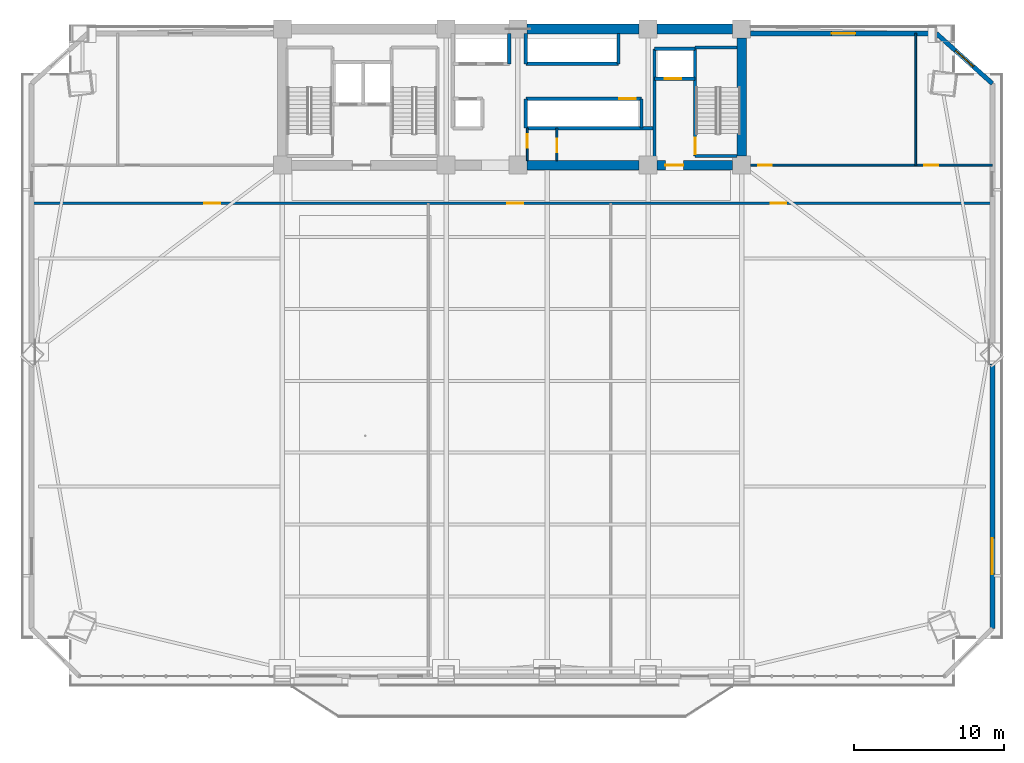
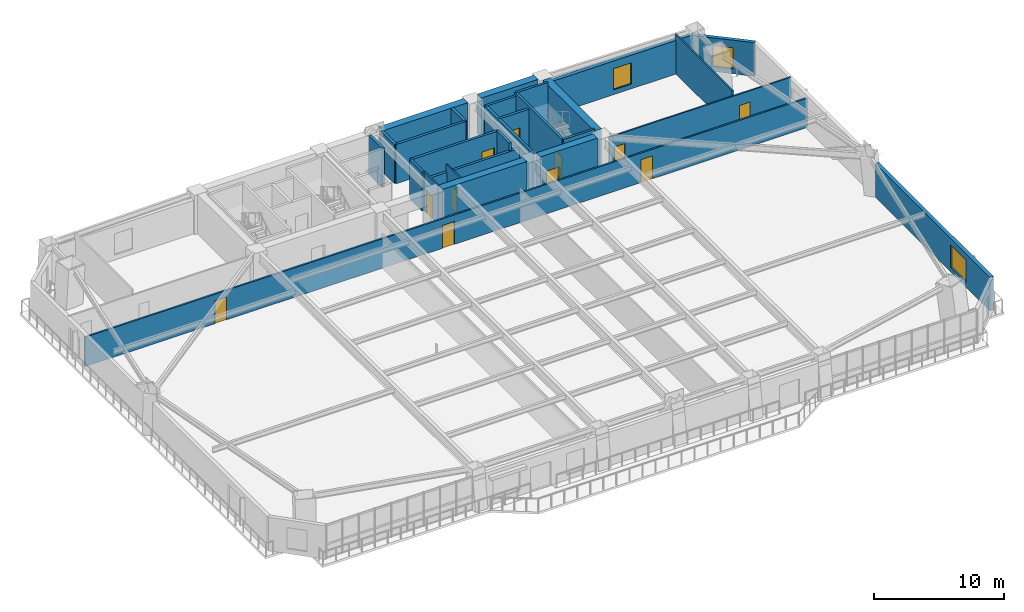
# One storey, part 10 of 17: 27 walls, 11 doors, 3 windows, 14 openings.
"""IFC4 building model written with IfcOpenShell, lengths in metres."""

from ifc_helpers import new_model, si_unit, direction, frame, frame_2d, origin, place, context, subcontext, project, spatial, rectangle, extrude, source, transform, mapped, material, layer, layer_set, type_object, element, fill, save


model = new_model("IFC4")

# Units and contexts
model_context = context("Model", 3, precision=1e-05, world=origin(), true_north=direction((0.0, 1.0)))
body_context = subcontext(model_context, "Body", "Model", "MODEL_VIEW")
ifc_project = project(units=[si_unit("LENGTHUNIT", "METRE"), si_unit("AREAUNIT", "SQUARE_METRE"), si_unit("VOLUMEUNIT", "CUBIC_METRE"), si_unit("PLANEANGLEUNIT", "RADIAN"), si_unit("MASSUNIT", "GRAM", prefix="KILO")], contexts=[model_context])

# Site, building, storey
site_placement = place(None, origin())
site = spatial("IfcSite", under=ifc_project, at=site_placement, CompositionType="ELEMENT")
building_placement = place(site_placement, origin())
building = spatial("IfcBuilding", under=site, at=building_placement, Name="Giltprow Tower", CompositionType="ELEMENT")
storey_placement = place(building_placement, frame((0.0, 0.0, 33.199951171875)))
storey = spatial("IfcBuildingStorey", under=building, at=storey_placement, Name="L08", CompositionType="ELEMENT", Elevation=33.199951171875)

# Wall, opening, window
ifc_material_1 = material(Name="Precast concrete C40", Category="concrete")
ifc_layer_1 = layer(ifc_material_1, 0.300048828125, Name="Precast concrete C40")
ifc_layer_set_1 = layer_set([ifc_layer_1], Name="Precast concrete C40")
wall_type_1 = type_object("IfcWallType", Name="EW-NOTCH-CHAMFER-300", PredefinedType="SOLIDWALL", material=ifc_layer_set_1)
wall_1_placement = place(storey_placement, frame((67.300048828125, 42.89990234375, 0.0), z_axis=(0.0, 0.0, 1.0), x_axis=(-0.745751558502, 0.666224146209, 0.0)))
wall_1 = element("IfcWall", 1, at=wall_1_placement, inside=storey, type_object=wall_type_1, Name="L08 Corner Notch Wall NE", PredefinedType="SOLIDWALL", context=body_context, shape_type="SweptSolid", body=[
    extrude(rectangle(XDim=5.028564453125, YDim=0.300048828125, at=frame_2d((2.51416015625, 0.0))), origin(), (0.0, 0.0, 1.0), 3.16015625),
])
opening_1_placement = place(wall_1_placement, frame((1.714111328125, 0.0, 0.449951171875)))
opening_1 = element("IfcOpeningElement", 2, at=opening_1_placement, cuts=wall_1, Name="Opening WN17", PredefinedType="OPENING", context=body_context, shape_type="SweptSolid", body=[
    extrude(rectangle(XDim=1.60009765625, YDim=2.0, at=frame_2d((0.800048828125, 1.0))), frame((0.0, 0.159912109375, 0.0), z_axis=(0.0, -1.0, 0.0), x_axis=(1.0, 0.0, 0.0)), (0.0, 0.0, 1.0), 0.320068359375),
])
ifc_material_2 = material(Name="Insulated glass", Category="glass")
window_type_1 = type_object("IfcWindowType", Name="WN-COR-1600x2000", PartitioningType="SINGLE_PANEL", PredefinedType="WINDOW", material=ifc_material_2)
shared_shape_1 = source(origin(), body_context, "Body", "SweptSolid", [
    extrude(rectangle(XDim=1.60009765625, YDim=2.0, at=frame_2d((0.800048828125, 1.0))), frame((0.0, 0.030029296875, 0.0), z_axis=(0.0, -1.0, 0.0), x_axis=(1.0, 0.0, 0.0)), (0.0, 0.0, 1.0), 0.06005859375),
])
window_1_placement = place(opening_1_placement, origin())
window_1 = element("IfcWindow", 3, at=window_1_placement, inside=storey, type_object=window_type_1, Name="L08 Corner Notch Window NE", OverallHeight=2.0, OverallWidth=1.60009765625, PartitioningType="SINGLE_PANEL", PredefinedType="WINDOW", context=body_context, shape_type="MappedRepresentation", body=[
    mapped(shared_shape_1, transform((0.0, 0.0, 0.0), x_axis=(1.0, 0.0, 0.0), y_axis=(0.0, 1.0, 0.0), z_axis=(0.0, 0.0, 1.0), scale=1.0)),
])
fill(opening_1, window_1)

ifc_layer_2 = layer(ifc_material_1, 0.320068359375, Name="Precast concrete C40")
ifc_layer_set_2 = layer_set([ifc_layer_2], Name="Precast concrete C40")
wall_type_2 = type_object("IfcWallType", Name="EW-TOW-STONE-320", PredefinedType="SOLIDWALL", material=ifc_layer_set_2)
wall_2_placement = place(storey_placement, frame((67.300048828125, 6.5, 0.0), z_axis=(0.0, 0.0, 1.0), x_axis=(0.0, 1.0, 0.0)))
wall_2 = element("IfcWall", 4, at=wall_2_placement, inside=storey, type_object=wall_type_2, Name="L08 E Wing Masonry Wall 1", PredefinedType="SOLIDWALL", context=body_context, shape_type="SweptSolid", body=[
    extrude(rectangle(XDim=17.64990234375, YDim=0.320068359375, at=frame_2d((8.824951171875, 0.0))), origin(), (0.0, 0.0, 1.0), 3.16015625),
])
opening_2_placement = place(wall_2_placement, frame((3.62890625, 0.0, 0.449951171875)))
opening_2 = element("IfcOpeningElement", 5, at=opening_2_placement, cuts=wall_2, Name="Opening WN29", PredefinedType="OPENING", context=body_context, shape_type="SweptSolid", body=[
    extrude(rectangle(XDim=2.39990234375, YDim=2.10009765625, at=frame_2d((1.199951171875, 1.050048828125))), frame((0.0, 0.169921875, 0.0), z_axis=(0.0, -1.0, 0.0), x_axis=(1.0, 0.0, 0.0)), (0.0, 0.0, 1.0), 0.340087890625),
])
window_type_2 = type_object("IfcWindowType", Name="WN-OFF-2400x2100", PartitioningType="DOUBLE_PANEL_VERTICAL", PredefinedType="WINDOW", material=ifc_material_2)
shared_shape_2 = source(origin(), body_context, "Body", "SweptSolid", [
    extrude(rectangle(XDim=2.39990234375, YDim=2.10009765625, at=frame_2d((1.199951171875, 1.050048828125))), frame((0.0, 0.030029296875, 0.0), z_axis=(0.0, -1.0, 0.0), x_axis=(1.0, 0.0, 0.0)), (0.0, 0.0, 1.0), 0.06005859375),
])
window_2_placement = place(opening_2_placement, origin())
window_2 = element("IfcWindow", 6, at=window_2_placement, inside=storey, type_object=window_type_2, Name="L08 E Wing Window 1-1A", OverallHeight=2.10009765625, OverallWidth=2.39990234375, PartitioningType="SINGLE_PANEL", PredefinedType="WINDOW", context=body_context, shape_type="MappedRepresentation", body=[
    mapped(shared_shape_2, transform((0.0, 0.0, 0.0), x_axis=(1.0, 0.0, 0.0), y_axis=(0.0, 1.0, 0.0), z_axis=(0.0, 0.0, 1.0), scale=1.0)),
])
fill(opening_2, window_2)

wall_3_placement = place(storey_placement, frame((51.14990234375, 46.25, 0.0), z_axis=(0.0, 0.0, 1.0), x_axis=(1.0, 0.0, 0.0)))
wall_3 = element("IfcWall", 7, at=wall_3_placement, inside=storey, type_object=wall_type_2, Name="L08 North-East Wing Wall", PredefinedType="SOLIDWALL", context=body_context, shape_type="SweptSolid", body=[
    extrude(rectangle(XDim=12.400146484375, YDim=0.320068359375, at=frame_2d((6.2001953125, 0.0))), origin(), (0.0, 0.0, 1.0), 3.16015625),
])
opening_3_placement = place(wall_3_placement, frame((5.39990234375, 0.0, 0.449951171875)))
opening_3 = element("IfcOpeningElement", 8, at=opening_3_placement, cuts=wall_3, Name="Opening WN17", PredefinedType="OPENING", context=body_context, shape_type="SweptSolid", body=[
    extrude(rectangle(XDim=1.60009765625, YDim=2.0, at=frame_2d((0.800048828125, 1.0))), frame((0.0, 0.169921875, 0.0), z_axis=(0.0, -1.0, 0.0), x_axis=(1.0, 0.0, 0.0)), (0.0, 0.0, 1.0), 0.340087890625),
])
window_3_placement = place(opening_3_placement, origin())
window_3 = element("IfcWindow", 9, at=window_3_placement, inside=storey, type_object=window_type_1, Name="L08 North-East Window", OverallHeight=2.0, OverallWidth=1.60009765625, PartitioningType="SINGLE_PANEL", PredefinedType="WINDOW", context=body_context, shape_type="MappedRepresentation", body=[
    mapped(shared_shape_1, transform((0.0, 0.0, 0.0), x_axis=(1.0, 0.0, 0.0), y_axis=(0.0, 1.0, 0.0), z_axis=(0.0, 0.0, 1.0), scale=1.0)),
])
fill(opening_3, window_3)

# Wall, openings, doors
ifc_material_3 = material(Name="Gypsum stud partition", Category="gypsum")
ifc_layer_3 = layer(ifc_material_3, 0.14990234375, Name="Gypsum stud partition")
ifc_layer_set_3 = layer_set([ifc_layer_3], Name="Gypsum stud partition")
wall_type_3 = type_object("IfcWallType", Name="IW-CORR-150", PredefinedType="PARTITIONING", material=ifc_layer_set_3)
wall_4_placement = place(storey_placement, frame((3.10009765625, 34.89990234375, 0.0), z_axis=(0.0, 0.0, 1.0), x_axis=(1.0, 0.0, 0.0)))
wall_4 = element("IfcWall", 10, at=wall_4_placement, inside=storey, type_object=wall_type_3, Name="L08 Office Loop Corridor Wall", PredefinedType="PARTITIONING", context=body_context, shape_type="SweptSolid", body=[
    extrude(rectangle(XDim=64.199951171875, YDim=0.14990234375, at=frame_2d((32.10009765625, 0.0))), origin(), (0.0, 0.0, 1.0), 2.76513671875),
])
opening_4_placement = place(wall_4_placement, frame((11.544921875, 0.0, 0.0)))
opening_4 = element("IfcOpeningElement", 11, at=opening_4_placement, cuts=wall_4, Name="Opening ID31", PredefinedType="OPENING", context=body_context, shape_type="SweptSolid", body=[
    extrude(rectangle(XDim=1.050048828125, YDim=2.14990234375, at=frame_2d((0.52490234375, 1.074951171875))), frame((0.0, 0.0849609375, 0.0), z_axis=(0.0, -1.0, 0.0), x_axis=(1.0, 0.0, 0.0)), (0.0, 0.0, 1.0), 0.169921875),
])
opening_5_placement = place(wall_4_placement, frame((31.787109375, 0.0, 0.0)))
opening_5 = element("IfcOpeningElement", 12, at=opening_5_placement, cuts=wall_4, Name="Opening ID31", PredefinedType="OPENING", context=body_context, shape_type="SweptSolid", body=[
    extrude(rectangle(XDim=1.050048828125, YDim=2.14990234375, at=frame_2d((0.52490234375, 1.074951171875))), frame((0.0, 0.0849609375, 0.0), z_axis=(0.0, -1.0, 0.0), x_axis=(1.0, 0.0, 0.0)), (0.0, 0.0, 1.0), 0.169921875),
])
opening_6_placement = place(wall_4_placement, frame((49.389892578125, 0.0, 0.0)))
opening_6 = element("IfcOpeningElement", 13, at=opening_6_placement, cuts=wall_4, Name="Opening ID31", PredefinedType="OPENING", context=body_context, shape_type="SweptSolid", body=[
    extrude(rectangle(XDim=1.050048828125, YDim=2.14990234375, at=frame_2d((0.52490234375, 1.074951171875))), frame((0.0, 0.0849609375, 0.0), z_axis=(0.0, -1.0, 0.0), x_axis=(1.0, 0.0, 0.0)), (0.0, 0.0, 1.0), 0.169921875),
])
ifc_material_4 = material(Name="Engineered timber", Category="wood")
door_type_1 = type_object("IfcDoorType", Name="DR-SUITE-1050", OperationType="SINGLE_SWING_LEFT", PredefinedType="DOOR", material=ifc_material_4)
shared_shape_3 = source(origin(), body_context, "Body", "SweptSolid", [
    extrude(rectangle(XDim=1.050048828125, YDim=2.14990234375, at=frame_2d((0.52490234375, 1.074951171875))), frame((0.0, 0.02490234375, 0.0), z_axis=(0.0, -1.0, 0.0), x_axis=(1.0, 0.0, 0.0)), (0.0, 0.0, 1.0), 0.050048828125),
])
door_1_placement = place(opening_4_placement, origin())
door_1 = element("IfcDoor", 14, at=door_1_placement, inside=storey, type_object=door_type_1, Name="L08 Open-Plan Harbour Office 1 Door", OperationType="SINGLE_SWING_RIGHT", OverallHeight=2.14990234375, OverallWidth=1.050048828125, PredefinedType="DOOR", context=body_context, shape_type="MappedRepresentation", body=[
    mapped(shared_shape_3, transform((0.0, 0.0, 0.0), x_axis=(1.0, 0.0, 0.0), y_axis=(0.0, 1.0, 0.0), z_axis=(0.0, 0.0, 1.0), scale=1.0)),
])
fill(opening_4, door_1)
door_2_placement = place(opening_5_placement, origin())
door_2 = element("IfcDoor", 15, at=door_2_placement, inside=storey, type_object=door_type_1, Name="L08 Advisory Floorplate Office 2 Door", OperationType="SINGLE_SWING_LEFT", OverallHeight=2.14990234375, OverallWidth=1.050048828125, PredefinedType="DOOR", context=body_context, shape_type="MappedRepresentation", body=[
    mapped(shared_shape_3, transform((0.0, 0.0, 0.0), x_axis=(1.0, 0.0, 0.0), y_axis=(0.0, 1.0, 0.0), z_axis=(0.0, 0.0, 1.0), scale=1.0)),
])
fill(opening_5, door_2)
door_3_placement = place(opening_6_placement, origin())
door_3 = element("IfcDoor", 16, at=door_3_placement, inside=storey, type_object=door_type_1, Name="L08 Trading Floorplate Office 3 Door", OperationType="SINGLE_SWING_RIGHT", OverallHeight=2.14990234375, OverallWidth=1.050048828125, PredefinedType="DOOR", context=body_context, shape_type="MappedRepresentation", body=[
    mapped(shared_shape_3, transform((0.0, 0.0, 0.0), x_axis=(1.0, 0.0, 0.0), y_axis=(0.0, 1.0, 0.0), z_axis=(0.0, 0.0, 1.0), scale=1.0)),
])
fill(opening_6, door_3)

# Wall, opening, door
ifc_material_5 = material(Name="Concrete C40", Category="concrete")
ifc_layer_4 = layer(ifc_material_5, 0.219970703125, Name="Concrete C40")
ifc_layer_set_4 = layer_set([ifc_layer_4], Name="Concrete C40")
wall_type_4 = type_object("IfcWallType", Name="IW-SHAFT-220", PredefinedType="SOLIDWALL", material=ifc_layer_set_4)
wall_5_placement = place(storey_placement, frame((44.719970703125, 43.219970703125, 0.0), z_axis=(0.0, 0.0, 1.0), x_axis=(1.0, 0.0, 0.0)))
wall_5 = element("IfcWall", 17, at=wall_5_placement, inside=storey, type_object=wall_type_4, Name="L08 FFL2 Front Shaft Wall", PredefinedType="SOLIDWALL", context=body_context, shape_type="SweptSolid", body=[
    extrude(rectangle(XDim=2.719970703125, YDim=0.219970703125, at=frame_2d((1.35986328125, 0.0))), origin(), (0.0, 0.0, 1.0), 3.679931640625),
])
opening_7_placement = place(wall_5_placement, frame((0.699951171875, 0.0, 0.0)))
opening_7 = element("IfcOpeningElement", 18, at=opening_7_placement, cuts=wall_5, Name="Opening LD-11", PredefinedType="OPENING", context=body_context, shape_type="SweptSolid", body=[
    extrude(rectangle(XDim=1.10009765625, YDim=2.199951171875, at=frame_2d((0.550048828125, 1.10009765625))), frame((0.0, 0.119873046875, 0.0), z_axis=(0.0, -1.0, 0.0), x_axis=(1.0, 0.0, 0.0)), (0.0, 0.0, 1.0), 0.239990234375),
])
ifc_material_6 = material(Name="Stainless steel", Category="steel")
door_type_2 = type_object("IfcDoorType", Name="DR-LIFT-LD1100", OperationType="SLIDING_TO_LEFT", PredefinedType="DOOR", material=ifc_material_6)
shared_shape_4 = source(origin(), body_context, "Body", "SweptSolid", [
    extrude(rectangle(XDim=1.10009765625, YDim=2.199951171875, at=frame_2d((0.550048828125, 1.10009765625))), frame((0.0, 0.02490234375, 0.0), z_axis=(0.0, -1.0, 0.0), x_axis=(1.0, 0.0, 0.0)), (0.0, 0.0, 1.0), 0.050048828125),
])
door_4_placement = place(opening_7_placement, origin())
door_4 = element("IfcDoor", 19, at=door_4_placement, inside=storey, type_object=door_type_2, Name="L08 FFL2 Landing Door", OperationType="SLIDING_TO_LEFT", OverallHeight=2.199951171875, OverallWidth=1.10009765625, PredefinedType="DOOR", context=body_context, shape_type="MappedRepresentation", body=[
    mapped(shared_shape_4, transform((0.0, 0.0, 0.0), x_axis=(1.0, 0.0, 0.0), y_axis=(0.0, 1.0, 0.0), z_axis=(0.0, 0.0, 1.0), scale=1.0)),
])
fill(opening_7, door_4)

# Walls
wall_6_placement = place(storey_placement, frame((44.719970703125, 45.219970703125, 0.0), z_axis=(0.0, 0.0, 1.0), x_axis=(1.0, 0.0, 0.0)))
element("IfcWall", 20, at=wall_6_placement, inside=storey, type_object=wall_type_4, Name="L08 FFL2 Back Shaft Wall", PredefinedType="SOLIDWALL", context=body_context, shape_type="SweptSolid", body=[
    extrude(rectangle(XDim=2.719970703125, YDim=0.219970703125, at=frame_2d((1.35986328125, 0.0))), origin(), (0.0, 0.0, 1.0), 3.679931640625),
])
wall_7_placement = place(storey_placement, frame((44.719970703125, 37.7548828125, 0.0), z_axis=(0.0, 0.0, 1.0), x_axis=(0.0, 1.0, 0.0)))
element("IfcWall", 21, at=wall_7_placement, inside=storey, type_object=wall_type_4, Name="L08 East Firefighting Lobby West Wall", PredefinedType="SOLIDWALL", context=body_context, shape_type="SweptSolid", body=[
    extrude(rectangle(XDim=7.465087890625, YDim=0.219970703125, at=frame_2d((3.732421875, 0.0))), origin(), (0.0, 0.0, 1.0), 3.679931640625),
])
wall_8_placement = place(storey_placement, frame((36.1201171875, 44.219970703125, 0.0), z_axis=(0.0, 0.0, 1.0), x_axis=(1.0, 0.0, 0.0)))
element("IfcWall", 22, at=wall_8_placement, inside=storey, type_object=wall_type_4, Name="L08 North East Lift Shaft Front Wall", PredefinedType="SOLIDWALL", context=body_context, shape_type="SweptSolid", body=[
    extrude(rectangle(XDim=6.199951171875, YDim=0.219970703125, at=frame_2d((3.10009765625, 0.0))), origin(), (0.0, 0.0, 1.0), 3.679931640625),
])
for number, where, z_axis, x_axis, name in (
    (23, (35.02001953125, 44.219970703125, 0.0), (0.0, 0.0, 1.0), (0.0, 1.0, 0.0), "L08 North West Lift Shaft East Closure"),
    (24, (36.1201171875, 44.219970703125, 0.0), (0.0, 0.0, 1.0), (0.0, 1.0, 0.0), "L08 North East Lift Shaft West Closure"),
    (25, (42.320068359375, 44.219970703125, 0.0), (0.0, 0.0, 1.0), (0.0, 1.0, 0.0), "L08 North East Lift Shaft East Closure"),
):
    element("IfcWall", number, at=place(storey_placement, frame(where, z_axis=z_axis, x_axis=x_axis)), inside=storey, type_object=wall_type_4, Name=name, PredefinedType="SOLIDWALL", context=body_context, shape_type="SweptSolid", body=[
        extrude(rectangle(XDim=2.025146484375, YDim=0.219970703125, at=frame_2d((1.0126953125, 0.0))), origin(), (0.0, 0.0, 1.0), 3.679931640625),
    ])

# Wall, opening, door
wall_9_placement = place(storey_placement, frame((36.1201171875, 41.8798828125, 0.0), z_axis=(0.0, 0.0, 1.0), x_axis=(1.0, 0.0, 0.0)))
wall_9 = element("IfcWall", 26, at=wall_9_placement, inside=storey, type_object=wall_type_4, Name="L08 South East Lift Shaft Front Wall", PredefinedType="SOLIDWALL", context=body_context, shape_type="SweptSolid", body=[
    extrude(rectangle(XDim=7.72998046875, YDim=0.219970703125, at=frame_2d((3.864990234375, 0.0))), origin(), (0.0, 0.0, 1.0), 3.679931640625),
])
opening_8_placement = place(wall_9_placement, frame((6.260009765625, 0.0, 0.0)))
opening_8 = element("IfcOpeningElement", 27, at=opening_8_placement, cuts=wall_9, Name="Opening LD-11", PredefinedType="OPENING", context=body_context, shape_type="SweptSolid", body=[
    extrude(rectangle(XDim=1.10009765625, YDim=2.199951171875, at=frame_2d((0.550048828125, 1.10009765625))), frame((0.0, 0.119873046875, 0.0), z_axis=(0.0, -1.0, 0.0), x_axis=(1.0, 0.0, 0.0)), (0.0, 0.0, 1.0), 0.239990234375),
])
door_5_placement = place(opening_8_placement, origin())
door_5 = element("IfcDoor", 28, at=door_5_placement, inside=storey, type_object=door_type_2, Name="L08 PL-L4 Landing Door", OperationType="SLIDING_TO_LEFT", OverallHeight=2.199951171875, OverallWidth=1.10009765625, PredefinedType="DOOR", context=body_context, shape_type="MappedRepresentation", body=[
    mapped(shared_shape_4, transform((0.0, 0.0, 0.0), x_axis=(1.0, 0.0, 0.0), y_axis=(0.0, 1.0, 0.0), z_axis=(0.0, 0.0, 1.0), scale=1.0)),
])
fill(opening_8, door_5)

# Walls
wall_10_placement = place(storey_placement, frame((36.1201171875, 39.919921875, 0.0), z_axis=(0.0, 0.0, 1.0), x_axis=(1.0, 0.0, 0.0)))
element("IfcWall", 29, at=wall_10_placement, inside=storey, type_object=wall_type_4, Name="L08 Express South Shaft Back Wall", PredefinedType="SOLIDWALL", context=body_context, shape_type="SweptSolid", body=[
    extrude(rectangle(XDim=8.599853515625, YDim=0.219970703125, at=frame_2d((4.2998046875, 0.0))), origin(), (0.0, 0.0, 1.0), 2.965087890625),
])
for number, where, z_axis, x_axis, name in (
    (30, (36.1201171875, 39.919921875, 0.0), (0.0, 0.0, 1.0), (0.0, 1.0, 0.0), "L08 Express South Shaft West Closure"),
    (31, (43.85009765625, 39.919921875, 0.0), (0.0, 0.0, 1.0), (0.0, 1.0, 0.0), "L08 Lift Bank South-East Closure"),
):
    element("IfcWall", number, at=place(storey_placement, frame(where, z_axis=z_axis, x_axis=x_axis)), inside=storey, type_object=wall_type_4, Name=name, PredefinedType="SOLIDWALL", context=body_context, shape_type="SweptSolid", body=[
        extrude(rectangle(XDim=1.9599609375, YDim=0.219970703125, at=frame_2d((0.97998046875, 0.0))), origin(), (0.0, 0.0, 1.0), 3.679931640625),
    ])

# Wall, opening, door
ifc_layer_5 = layer(ifc_material_5, 0.199951171875, Name="Concrete C40")
ifc_layer_set_5 = layer_set([ifc_layer_5], Name="Concrete C40")
wall_type_5 = type_object("IfcWallType", Name="IW-STAIR-200", PredefinedType="SOLIDWALL", material=ifc_layer_set_5)
wall_11_placement = place(storey_placement, frame((47.43994140625, 38.070068359375, 0.0), z_axis=(0.0, 0.0, 1.0), x_axis=(0.0, 1.0, 0.0)))
wall_11 = element("IfcWall", 32, at=wall_11_placement, inside=storey, type_object=wall_type_5, Name="L08 Stair ST-3 West Bearing Wall", PredefinedType="SOLIDWALL", context=body_context, shape_type="SweptSolid", body=[
    extrude(rectangle(XDim=7.25, YDim=0.199951171875, at=frame_2d((3.625, 0.0))), origin(), (0.0, 0.0, 1.0), 3.900146484375),
])
opening_9_placement = place(wall_11_placement, frame((0.110107421875, 0.0, 0.0)))
opening_9 = element("IfcOpeningElement", 33, at=opening_9_placement, cuts=wall_11, Name="Opening ID33", PredefinedType="OPENING", context=body_context, shape_type="SweptSolid", body=[
    extrude(rectangle(XDim=1.10009765625, YDim=2.14990234375, at=frame_2d((0.550048828125, 1.074951171875))), frame((0.0, 0.10986328125, 0.0), z_axis=(0.0, -1.0, 0.0), x_axis=(1.0, 0.0, 0.0)), (0.0, 0.0, 1.0), 0.219970703125),
])
ifc_material_7 = material(Name="Steel fire leaf", Category="steel")
door_type_3 = type_object("IfcDoorType", Name="DR-STAIR-1100", OperationType="SINGLE_SWING_LEFT", PredefinedType="DOOR", material=ifc_material_7)
shared_shape_5 = source(origin(), body_context, "Body", "SweptSolid", [
    extrude(rectangle(XDim=1.10009765625, YDim=2.14990234375, at=frame_2d((0.550048828125, 1.074951171875))), frame((0.0, 0.02490234375, 0.0), z_axis=(0.0, -1.0, 0.0), x_axis=(1.0, 0.0, 0.0)), (0.0, 0.0, 1.0), 0.050048828125),
])
door_6_placement = place(opening_9_placement, origin())
door_6 = element("IfcDoor", 34, at=door_6_placement, inside=storey, type_object=door_type_3, Name="L08 Stair ST-3 Fire Door", OperationType="SINGLE_SWING_LEFT", OverallHeight=2.14990234375, OverallWidth=1.10009765625, PredefinedType="DOOR", context=body_context, shape_type="MappedRepresentation", body=[
    mapped(shared_shape_5, transform((0.0, 0.0, 0.0), x_axis=(1.0, 0.0, 0.0), y_axis=(0.0, 1.0, 0.0), z_axis=(0.0, 0.0, 1.0), scale=1.0)),
])
fill(opening_9, door_6)

# Walls
for number, where, z_axis, x_axis, name in (
    (35, (47.43994140625, 45.320068359375, 0.0), (0.0, 0.0, 1.0), (1.0, 0.0, 0.0), "L08 Stair ST-3 North Bearing Wall"),
    (36, (47.43994140625, 38.070068359375, 0.0), (0.0, 0.0, 1.0), (1.0, 0.0, 0.0), "L08 Stair ST-3 South Bearing Wall"),
):
    element("IfcWall", number, at=place(storey_placement, frame(where, z_axis=z_axis, x_axis=x_axis)), inside=storey, type_object=wall_type_5, Name=name, PredefinedType="SOLIDWALL", context=body_context, shape_type="SweptSolid", body=[
        extrude(rectangle(XDim=2.80517578125, YDim=0.199951171875, at=frame_2d((1.402587890625, 0.0))), origin(), (0.0, 0.0, 1.0), 3.900146484375),
    ])

# Wall, opening, door
ifc_material_8 = material(Name="Concrete C30", Category="concrete")
ifc_layer_6 = layer(ifc_material_8, 0.1298828125, Name="Concrete C30")
ifc_layer_set_6 = layer_set([ifc_layer_6], Name="Concrete C30")
wall_type_6 = type_object("IfcWallType", Name="IW-WET-130", PredefinedType="PARTITIONING", material=ifc_layer_set_6)
wall_12_placement = place(storey_placement, frame((36.219970703125, 37.7548828125, 0.0), z_axis=(0.0, 0.0, 1.0), x_axis=(0.0, 1.0, 0.0)))
wall_12 = element("IfcWall", 37, at=wall_12_placement, inside=storey, type_object=wall_type_6, Name="L08 Core Suite West Wall", PredefinedType="PARTITIONING", context=body_context, shape_type="SweptSolid", body=[
    extrude(rectangle(XDim=2.1650390625, YDim=0.1298828125, at=frame_2d((1.08251953125, 0.0))), origin(), (0.0, 0.0, 1.0), 3.679931640625),
])
opening_10_placement = place(wall_12_placement, frame((0.85498046875, 0.0, 0.0)))
opening_10 = element("IfcOpeningElement", 38, at=opening_10_placement, cuts=wall_12, Name="Opening ID35", PredefinedType="OPENING", context=body_context, shape_type="SweptSolid", body=[
    extrude(rectangle(XDim=0.89990234375, YDim=2.10009765625, at=frame_2d((0.449951171875, 1.050048828125))), frame((0.0, 0.074951171875, 0.0), z_axis=(0.0, -1.0, 0.0), x_axis=(1.0, 0.0, 0.0)), (0.0, 0.0, 1.0), 0.14990234375),
])
door_type_4 = type_object("IfcDoorType", Name="DR-SHAFT-900", OperationType="SINGLE_SWING_LEFT", PredefinedType="DOOR", material=ifc_material_7)
shared_shape_6 = source(origin(), body_context, "Body", "SweptSolid", [
    extrude(rectangle(XDim=0.89990234375, YDim=2.10009765625, at=frame_2d((0.449951171875, 1.050048828125))), frame((0.0, 0.02490234375, 0.0), z_axis=(0.0, -1.0, 0.0), x_axis=(1.0, 0.0, 0.0)), (0.0, 0.0, 1.0), 0.050048828125),
])
door_7_placement = place(opening_10_placement, origin())
door_7 = element("IfcDoor", 39, at=door_7_placement, inside=storey, type_object=door_type_4, Name="L08 Core Accessible WC Door", OperationType="SINGLE_SWING_RIGHT", OverallHeight=2.10009765625, OverallWidth=0.89990234375, PredefinedType="DOOR", context=body_context, shape_type="MappedRepresentation", body=[
    mapped(shared_shape_6, transform((0.0, 0.0, 0.0), x_axis=(1.0, 0.0, 0.0), y_axis=(0.0, 1.0, 0.0), z_axis=(0.0, 0.0, 1.0), scale=1.0)),
])
fill(opening_10, door_7)

wall_13_placement = place(storey_placement, frame((38.199951171875, 37.7548828125, 0.0), z_axis=(0.0, 0.0, 1.0), x_axis=(0.0, 1.0, 0.0)))
wall_13 = element("IfcWall", 40, at=wall_13_placement, inside=storey, type_object=wall_type_6, Name="L08 Core Suite Asymmetric Wall", PredefinedType="PARTITIONING", context=body_context, shape_type="SweptSolid", body=[
    extrude(rectangle(XDim=2.1650390625, YDim=0.1298828125, at=frame_2d((1.08251953125, 0.0))), origin(), (0.0, 0.0, 1.0), 3.679931640625),
])
opening_11_placement = place(wall_13_placement, frame((0.56494140625, 0.0, 0.0)))
opening_11 = element("IfcOpeningElement", 41, at=opening_11_placement, cuts=wall_13, Name="Opening ID35", PredefinedType="OPENING", context=body_context, shape_type="SweptSolid", body=[
    extrude(rectangle(XDim=0.89990234375, YDim=2.10009765625, at=frame_2d((0.449951171875, 1.050048828125))), frame((0.0, 0.074951171875, 0.0), z_axis=(0.0, -1.0, 0.0), x_axis=(1.0, 0.0, 0.0)), (0.0, 0.0, 1.0), 0.14990234375),
])
door_8_placement = place(opening_11_placement, origin())
door_8 = element("IfcDoor", 42, at=door_8_placement, inside=storey, type_object=door_type_4, Name="L08 Core Mail Room Door", OperationType="SINGLE_SWING_LEFT", OverallHeight=2.10009765625, OverallWidth=0.89990234375, PredefinedType="DOOR", context=body_context, shape_type="MappedRepresentation", body=[
    mapped(shared_shape_6, transform((0.0, 0.0, 0.0), x_axis=(1.0, 0.0, 0.0), y_axis=(0.0, 1.0, 0.0), z_axis=(0.0, 0.0, 1.0), scale=1.0)),
])
fill(opening_11, door_8)

# Wall, openings, doors
wall_14_placement = place(storey_placement, frame((51.14990234375, 37.449951171875, 0.0), z_axis=(0.0, 0.0, 1.0), x_axis=(1.0, 0.0, 0.0)))
wall_14 = element("IfcWall", 43, at=wall_14_placement, inside=storey, type_object=wall_type_6, Name="L08 NE Wing South Wall", PredefinedType="PARTITIONING", context=body_context, shape_type="SweptSolid", body=[
    extrude(rectangle(XDim=16.150146484375, YDim=0.1298828125, at=frame_2d((8.0751953125, 0.0))), origin(), (0.0, 0.0, 1.0), 3.1650390625),
])
opening_12_placement = place(wall_14_placement, frame((0.5, 0.0, 0.0)))
opening_12 = element("IfcOpeningElement", 44, at=opening_12_placement, cuts=wall_14, Name="Opening ID15", PredefinedType="OPENING", context=body_context, shape_type="SweptSolid", body=[
    extrude(rectangle(XDim=0.89990234375, YDim=2.10009765625, at=frame_2d((0.449951171875, 1.050048828125))), frame((0.0, 0.074951171875, 0.0), z_axis=(0.0, -1.0, 0.0), x_axis=(1.0, 0.0, 0.0)), (0.0, 0.0, 1.0), 0.14990234375),
])
opening_13_placement = place(wall_14_placement, frame((11.580078125, 0.0, 0.0)))
opening_13 = element("IfcOpeningElement", 45, at=opening_13_placement, cuts=wall_14, Name="Opening ID11", PredefinedType="OPENING", context=body_context, shape_type="SweptSolid", body=[
    extrude(rectangle(XDim=0.949951171875, YDim=2.10009765625, at=frame_2d((0.47509765625, 1.050048828125))), frame((0.0, 0.074951171875, 0.0), z_axis=(0.0, -1.0, 0.0), x_axis=(1.0, 0.0, 0.0)), (0.0, 0.0, 1.0), 0.14990234375),
])
door_type_5 = type_object("IfcDoorType", Name="DR-WC-900", OperationType="SINGLE_SWING_LEFT", PredefinedType="DOOR", material=ifc_material_4)
door_9_placement = place(opening_12_placement, origin())
door_9 = element("IfcDoor", 46, at=door_9_placement, inside=storey, type_object=door_type_5, Name="L08 East Wing Washroom Door", OperationType="SINGLE_SWING_RIGHT", OverallHeight=2.10009765625, OverallWidth=0.89990234375, PredefinedType="DOOR", context=body_context, shape_type="MappedRepresentation", body=[
    mapped(shared_shape_6, transform((0.0, 0.0, 0.0), x_axis=(1.0, 0.0, 0.0), y_axis=(0.0, 1.0, 0.0), z_axis=(0.0, 0.0, 1.0), scale=1.0)),
])
fill(opening_12, door_9)
door_type_6 = type_object("IfcDoorType", Name="DR-ROOM-950", OperationType="SINGLE_SWING_RIGHT", PredefinedType="DOOR", material=ifc_material_4)
shared_shape_7 = source(origin(), body_context, "Body", "SweptSolid", [
    extrude(rectangle(XDim=0.949951171875, YDim=2.10009765625, at=frame_2d((0.47509765625, 1.050048828125))), frame((0.0, 0.02490234375, 0.0), z_axis=(0.0, -1.0, 0.0), x_axis=(1.0, 0.0, 0.0)), (0.0, 0.0, 1.0), 0.050048828125),
])
door_10_placement = place(opening_13_placement, origin())
door_10 = element("IfcDoor", 47, at=door_10_placement, inside=storey, type_object=door_type_6, Name="L08 East Tenant Archive Store Door", OperationType="SINGLE_SWING_RIGHT", OverallHeight=2.10009765625, OverallWidth=0.949951171875, PredefinedType="DOOR", context=body_context, shape_type="MappedRepresentation", body=[
    mapped(shared_shape_7, transform((0.0, 0.0, 0.0), x_axis=(1.0, 0.0, 0.0), y_axis=(0.0, 1.0, 0.0), z_axis=(0.0, 0.0, 1.0), scale=1.0)),
])
fill(opening_13, door_10)

# Walls
wall_15_placement = place(storey_placement, frame((62.179931640625, 37.449951171875, 0.0), z_axis=(0.0, 0.0, 1.0), x_axis=(0.0, 1.0, 0.0)))
element("IfcWall", 48, at=wall_15_placement, inside=storey, type_object=wall_type_6, Name="L08 NE Wing Divider", PredefinedType="PARTITIONING", context=body_context, shape_type="SweptSolid", body=[
    extrude(rectangle(XDim=8.800048828125, YDim=0.1298828125, at=frame_2d((4.39990234375, 0.0))), origin(), (0.0, 0.0, 1.0), 3.679931640625),
])
ifc_material_9 = material(Name="Concrete C60", Category="concrete")
ifc_layer_7 = layer(ifc_material_9, 0.64990234375, Name="Concrete C60")
ifc_layer_set_7 = layer_set([ifc_layer_7], Name="Concrete C60")
wall_type_7 = type_object("IfcWallType", Name="SW-EXT-650-C60", PredefinedType="SHEAR", material=ifc_layer_set_7)
wall_16_placement = place(storey_placement, frame((36.199951171875, 46.550048828125, 0.0), z_axis=(0.0, 0.0, 1.0), x_axis=(1.0, 0.0, 0.0)))
element("IfcWall", 49, at=wall_16_placement, inside=storey, type_object=wall_type_7, Name="L08 North Rear Core Shear Wall 3", PredefinedType="SHEAR", context=body_context, shape_type="SweptSolid", body=[
    extrude(rectangle(XDim=7.5, YDim=0.64990234375, at=frame_2d((3.75, 0.0))), origin(), (0.0, 0.0, 1.0), 3.679931640625),
])
wall_17_placement = place(storey_placement, frame((44.89990234375, 46.550048828125, 0.0), z_axis=(0.0, 0.0, 1.0), x_axis=(1.0, 0.0, 0.0)))
element("IfcWall", 50, at=wall_17_placement, inside=storey, type_object=wall_type_7, Name="L08 North Rear Core Shear Wall 4", PredefinedType="SHEAR", context=body_context, shape_type="SweptSolid", body=[
    extrude(rectangle(XDim=5.050048828125, YDim=0.64990234375, at=frame_2d((2.52490234375, 0.0))), origin(), (0.0, 0.0, 1.0), 3.679931640625),
])
ifc_layer_8 = layer(ifc_material_9, 0.64990234375, Name="Concrete C60")
ifc_layer_set_8 = layer_set([ifc_layer_8], Name="Concrete C60")
wall_type_8 = type_object("IfcWallType", Name="SW-INT-650-C60", PredefinedType="SHEAR", material=ifc_layer_set_8)
wall_18_placement = place(storey_placement, frame((36.199951171875, 37.449951171875, 0.0), z_axis=(0.0, 0.0, 1.0), x_axis=(1.0, 0.0, 0.0)))
element("IfcWall", 51, at=wall_18_placement, inside=storey, type_object=wall_type_8, Name="L08 South Rear Core Shear Wall Mid-East", PredefinedType="SHEAR", context=body_context, shape_type="SweptSolid", body=[
    extrude(rectangle(XDim=7.5, YDim=0.64990234375, at=frame_2d((3.75, 0.0))), origin(), (0.0, 0.0, 1.0), 3.679931640625),
])

# Wall, opening, door
wall_19_placement = place(storey_placement, frame((44.89990234375, 37.449951171875, 0.0), z_axis=(0.0, 0.0, 1.0), x_axis=(1.0, 0.0, 0.0)))
wall_19 = element("IfcWall", 52, at=wall_19_placement, inside=storey, type_object=wall_type_8, Name="L08 South Rear Core Shear Wall East", PredefinedType="SHEAR", context=body_context, shape_type="SweptSolid", body=[
    extrude(rectangle(XDim=5.050048828125, YDim=0.64990234375, at=frame_2d((2.52490234375, 0.0))), origin(), (0.0, 0.0, 1.0), 3.679931640625),
])
opening_14_placement = place(wall_19_placement, frame((0.550048828125, 0.0, 0.0)))
opening_14 = element("IfcOpeningElement", 53, at=opening_14_placement, cuts=wall_19, Name="Opening ID19", PredefinedType="OPENING", context=body_context, shape_type="SweptSolid", body=[
    extrude(rectangle(XDim=1.199951171875, YDim=2.14990234375, at=frame_2d((0.60009765625, 1.074951171875))), frame((0.0, 0.3349609375, 0.0), z_axis=(0.0, -1.0, 0.0), x_axis=(1.0, 0.0, 0.0)), (0.0, 0.0, 1.0), 0.669921875),
])
door_type_7 = type_object("IfcDoorType", Name="DR-FFLOBBY-1200", OperationType="SINGLE_SWING_RIGHT", PredefinedType="DOOR", material=ifc_material_7)
shared_shape_8 = source(origin(), body_context, "Body", "SweptSolid", [
    extrude(rectangle(XDim=1.199951171875, YDim=2.14990234375, at=frame_2d((0.60009765625, 1.074951171875))), frame((0.0, 0.02490234375, 0.0), z_axis=(0.0, -1.0, 0.0), x_axis=(1.0, 0.0, 0.0)), (0.0, 0.0, 1.0), 0.050048828125),
])
door_11_placement = place(opening_14_placement, origin())
door_11 = element("IfcDoor", 54, at=door_11_placement, inside=storey, type_object=door_type_7, Name="L08 East Firefighting Lobby Entry Door", OperationType="SINGLE_SWING_RIGHT", OverallHeight=2.14990234375, OverallWidth=1.199951171875, PredefinedType="DOOR", context=body_context, shape_type="MappedRepresentation", body=[
    mapped(shared_shape_8, transform((0.0, 0.0, 0.0), x_axis=(1.0, 0.0, 0.0), y_axis=(0.0, 1.0, 0.0), z_axis=(0.0, 0.0, 1.0), scale=1.0)),
])
fill(opening_14, door_11)

# Wall
wall_20_placement = place(storey_placement, frame((50.550048828125, 38.050048828125, 0.0), z_axis=(0.0, 0.0, 1.0), x_axis=(0.0, 1.0, 0.0)))
element("IfcWall", 55, at=wall_20_placement, inside=storey, type_object=wall_type_8, Name="L08 E Rear Core Shear Wall", PredefinedType="SHEAR", context=body_context, shape_type="SweptSolid", body=[
    extrude(rectangle(XDim=7.89990234375, YDim=0.64990234375, at=frame_2d((3.949951171875, 0.0))), origin(), (0.0, 0.0, 1.0), 3.679931640625),
])

save(model, "model.ifc")
